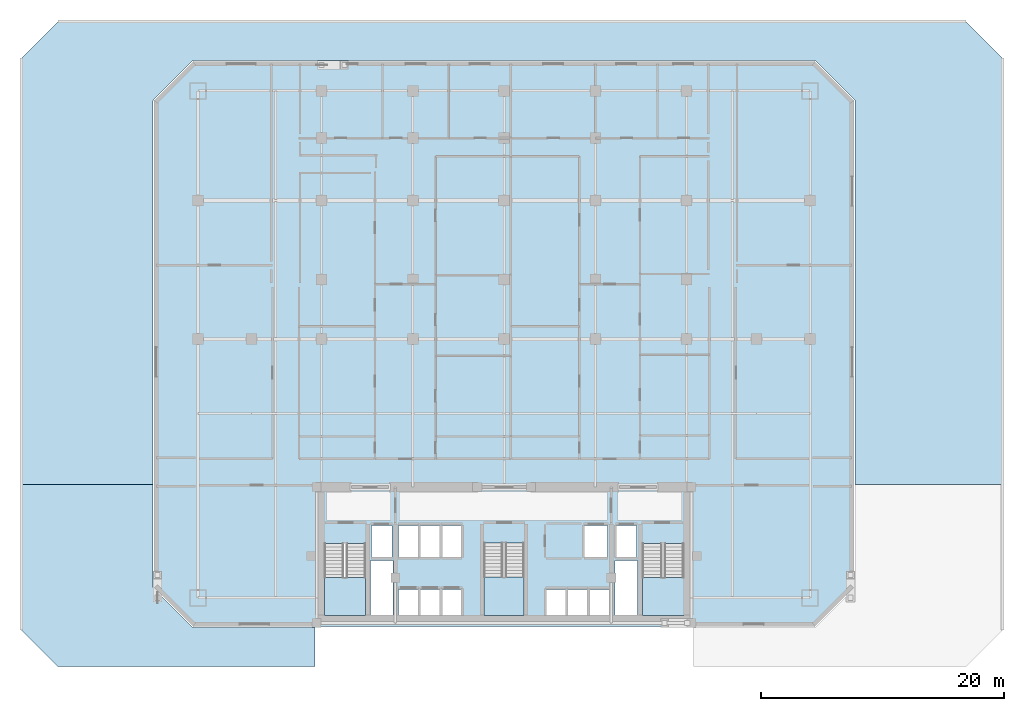
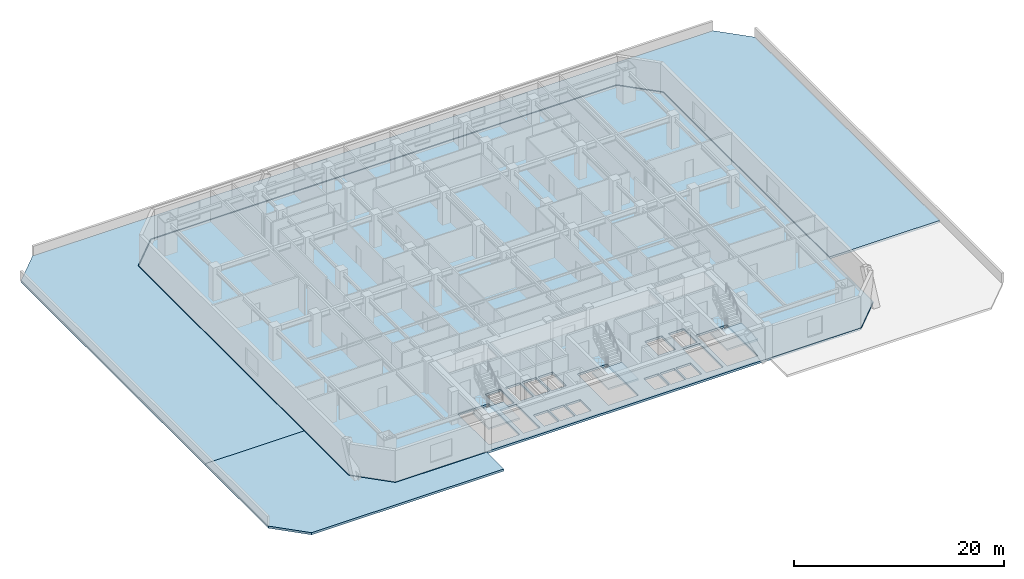
# One storey, part 3 of 11: 6 slabs, 3 elements without a shape of their own.
"""IFC4 building model written with IfcOpenShell, lengths in metres."""

import ifcopenshell
import ifcopenshell.guid

model = None  # the IFC model being written
_history = None  # IfcOwnerHistory: only IFC2X3 demands one
_inside = {}  # id of a spatial element -> (the spatial element, [elements in it])
_under = {}  # id of a project, library or spatial element -> (it, [spatial elements below it])
_declared = {}  # id of a project -> (the project, [libraries it declares])
_typed = {}  # id of a type object -> (the type object, [elements of that type])
_made_of = {}  # id of a material, layer set ... -> (it, [elements and type objects made of it])


def new_model(schema):
    """Start an empty IFC model of exactly this schema.

    Asked for "IFC4X3", IfcOpenShell would pick the latest addendum, in which some entities
    have other attributes; the version numbers below select the first issue.
    IFC2X3 requires an IfcOwnerHistory on every rooted entity: one is made here for all.
    """
    global model, _history
    if schema == "IFC4X3":
        model = ifcopenshell.file(schema_version=(4, 3, 0, 0))
    else:
        model = ifcopenshell.file(schema=schema)
    _inside.clear()
    _under.clear()
    _declared.clear()
    _typed.clear()
    _made_of.clear()
    _history = None
    if model.schema == "IFC2X3":
        org = make("IfcOrganization", Name="unknown")
        user = make(
            "IfcPersonAndOrganization",
            ThePerson=make("IfcPerson", FamilyName="unknown"),
            TheOrganization=org,
        )
        app = make(
            "IfcApplication",
            ApplicationDeveloper=org,
            Version="unknown",
            ApplicationFullName="unknown",
            ApplicationIdentifier="unknown",
        )
        _history = make(
            "IfcOwnerHistory",
            OwningUser=user,
            OwningApplication=app,
            ChangeAction="ADDED",
            CreationDate=0,
        )
    return model


def make(cls, **values):
    """One entity of the class cls with the attributes given. An attribute that is None is left unset."""
    return model.create_entity(
        cls, **{name: value for name, value in values.items() if value is not None}
    )


def rooted(cls, **values):
    """An entity with a GlobalId (a new one), such as an element, a storey or a relation."""
    return make(cls, GlobalId=ifcopenshell.guid.new(), OwnerHistory=_history, **values)


def si_unit(unit_type, name, prefix=None):
    """IfcSIUnit, for example si_unit("LENGTHUNIT", "METRE", prefix="MILLI")."""
    return make("IfcSIUnit", UnitType=unit_type, Prefix=prefix, Name=name)


def assignment(units):
    """IfcUnitAssignment: the units of a project."""
    return None if units is None else make("IfcUnitAssignment", Units=units)


def point(xyz):
    """IfcCartesianPoint."""
    return None if xyz is None else make("IfcCartesianPoint", Coordinates=xyz)


def direction(xyz):
    """IfcDirection."""
    return None if xyz is None else make("IfcDirection", DirectionRatios=xyz)


def frame(location, z_axis=None, x_axis=None):
    """IfcAxis2Placement3D, a coordinate frame: its origin and axes. An axis left out is left unset."""
    return make(
        "IfcAxis2Placement3D",
        Location=point(location),
        Axis=direction(z_axis),
        RefDirection=direction(x_axis),
    )


def origin():
    """The frame at (0, 0, 0) with its axes left unset."""
    return frame((0.0, 0.0, 0.0))


def place(relative_to, where):
    """IfcLocalPlacement: puts the frame where relative to a parent placement (None: the world)."""
    return make(
        "IfcLocalPlacement", PlacementRelTo=relative_to, RelativePlacement=where
    )


def context(
    kind, dimensions, precision=None, world=None, true_north=None, identifier=None
):
    """IfcGeometricRepresentationContext, for example the 3D "Model" context."""
    return make(
        "IfcGeometricRepresentationContext",
        ContextIdentifier=identifier,
        ContextType=kind,
        CoordinateSpaceDimension=dimensions,
        Precision=precision,
        WorldCoordinateSystem=world,
        TrueNorth=true_north,
    )


def subcontext(parent, identifier, kind, view, scale=None):
    """IfcGeometricRepresentationSubContext, for example "Body" below "Model"."""
    return make(
        "IfcGeometricRepresentationSubContext",
        ContextIdentifier=identifier,
        ContextType=kind,
        ParentContext=parent,
        TargetScale=scale,
        TargetView=view,
    )


def project(units=None, contexts=None):
    """IfcProject with its units and contexts."""
    return rooted(
        "IfcProject",
        Name="project",
        RepresentationContexts=contexts,
        UnitsInContext=assignment(units),
    )


def spatial(cls, under=None, at=None, **own):
    """A site, building, storey or space (cls), placed at a placement, below another one or the project."""
    s = rooted(cls, ObjectPlacement=at, **own)
    if under is not None:
        _under.setdefault(under.id(), (under, []))[1].append(s)
    return s


def polyline(points):
    """IfcPolyline through the points."""
    return make("IfcPolyline", Points=[point(p) for p in points])


def outline(outer, holes=None, kind="AREA"):
    """IfcArbitraryClosedProfileDef: a profile drawn as a closed curve; with holes, ...WithVoids."""
    if holes is None:
        return make("IfcArbitraryClosedProfileDef", ProfileType=kind, OuterCurve=outer)
    return make(
        "IfcArbitraryProfileDefWithVoids",
        ProfileType=kind,
        OuterCurve=outer,
        InnerCurves=holes,
    )


def extrude(swept, where, along, depth):
    """IfcExtrudedAreaSolid: the profile swept, set in the frame where, extruded along a direction by depth."""
    return make(
        "IfcExtrudedAreaSolid",
        SweptArea=swept,
        Position=where,
        ExtrudedDirection=direction(along),
        Depth=depth,
    )


def shape(context_of_items, identifier, shape_type, items):
    """IfcShapeRepresentation: the items that make up one representation, for example the "Body"."""
    return make(
        "IfcShapeRepresentation",
        ContextOfItems=context_of_items,
        RepresentationIdentifier=identifier,
        RepresentationType=shape_type,
        Items=items,
    )


def material(Name=None, Category=None):
    """IfcMaterial."""
    return make("IfcMaterial", Name=Name, Category=Category)


def layer(
    of_material, thickness, ventilated=None, Name=None, Category=None, Priority=None
):
    """IfcMaterialLayer: one layer of a wall or slab, of a material (None: an air gap)."""
    return make(
        "IfcMaterialLayer",
        Material=of_material,
        LayerThickness=thickness,
        IsVentilated=ventilated,
        Name=Name,
        Category=Category,
        Priority=Priority,
    )


def layer_set(layers, Name=None):
    """IfcMaterialLayerSet."""
    return make("IfcMaterialLayerSet", MaterialLayers=layers, LayerSetName=Name)


def made_of(thing, what):
    """Note that an element or type object is made of a material, layer set ...; save() writes the relation."""
    if what is not None:
        _made_of.setdefault(what.id(), (what, []))[1].append(thing)
    return thing


def type_object(cls, material=None, **own):
    """A type object (cls), such as IfcWallType, which elements share."""
    return made_of(rooted(cls, **own), material)


def element(
    cls,
    number,
    at=None,
    inside=None,
    cuts=None,
    type_object=None,
    material=None,
    context=None,
    identifier="Body",
    shape_type=None,
    held_by="IfcProductDefinitionShape",
    body=None,
    shapes=None,
    **own,
):
    """One element of the class cls, such as IfcWall. Its Tag is "e" and its number.

    at: its placement. inside: the storey or other place that contains it. cuts: it is an
    opening in that element (IfcRelVoidsElement). A single representation is given by context,
    identifier, shape_type and body (its items); several are given by shapes. held_by: the class
    of the entity that holds the representations. save() writes the other relations.
    """
    e = rooted(cls, Tag="e%d" % number, ObjectPlacement=at, **own)
    if body is not None:
        shapes = [shape(context, identifier, shape_type, body)]
    if shapes is not None:
        e.Representation = make(held_by, Representations=shapes)
    if inside is not None:
        _inside.setdefault(inside.id(), (inside, []))[1].append(e)
    if cuts is not None:
        rooted(
            "IfcRelVoidsElement", RelatingBuildingElement=cuts, RelatedOpeningElement=e
        )
    if type_object is not None:
        _typed.setdefault(type_object.id(), (type_object, []))[1].append(e)
    return made_of(e, material)


def aggregate(whole, parts):
    """IfcRelAggregates: a whole, such as a stair, and the parts it consists of."""
    return rooted("IfcRelAggregates", RelatingObject=whole, RelatedObjects=parts)


def save(model, path):
    """Write the relations noted so far, then the file.

    IfcRelAggregates (storeys below a building ...), IfcRelContainedInSpatialStructure (elements
    in a storey), IfcRelDefinesByType, IfcRelAssociatesMaterial and IfcRelDeclares: one each for
    every whole, place, type object, material and project.
    """
    for whole, parts in _under.values():
        aggregate(whole, parts)
    for where, things in _inside.values():
        rooted(
            "IfcRelContainedInSpatialStructure",
            RelatedElements=things,
            RelatingStructure=where,
        )
    for kind, things in _typed.values():
        rooted("IfcRelDefinesByType", RelatedObjects=things, RelatingType=kind)
    for what, things in _made_of.values():
        rooted("IfcRelAssociatesMaterial", RelatedObjects=things, RelatingMaterial=what)
    for by, libraries in _declared.values():
        rooted("IfcRelDeclares", RelatingContext=by, RelatedDefinitions=libraries)
    model.write(path)


model = new_model("IFC4")

# Units and contexts
model_context = context("Model", 3, precision=1e-05, world=origin(), true_north=direction((0.0, 1.0)))
body_context = subcontext(model_context, "Body", "Model", "MODEL_VIEW")
ifc_project = project(units=[si_unit("LENGTHUNIT", "METRE"), si_unit("AREAUNIT", "SQUARE_METRE"), si_unit("VOLUMEUNIT", "CUBIC_METRE"), si_unit("PLANEANGLEUNIT", "RADIAN"), si_unit("MASSUNIT", "GRAM", prefix="KILO")], contexts=[model_context])

# Site, building, storey
site_placement = place(None, origin())
site = spatial("IfcSite", under=ifc_project, at=site_placement, CompositionType="ELEMENT")
building_placement = place(site_placement, origin())
building = spatial("IfcBuilding", under=site, at=building_placement, Name="Ventersveld Concourse Tower", CompositionType="ELEMENT")
storey_placement = place(building_placement, frame((0.0, 0.0, 29.800048828125)))
storey = spatial("IfcBuildingStorey", under=building, at=storey_placement, Name="L06", CompositionType="ELEMENT", Elevation=29.800048828125)

# Slab
ifc_material = material(Name="Concrete C50/60", Category="concrete")
ifc_layer_1 = layer(ifc_material, 0.25)
ifc_layer_set_1 = layer_set([ifc_layer_1], Name="Concrete C50/60")
slab_type_1 = type_object("IfcSlabType", Name="SL-FLR-250", PredefinedType="FLOOR", material=ifc_layer_set_1)
slab_1_placement = place(storey_placement, frame((0.0, 0.0, -0.25)))
element("IfcSlab", 1, at=slab_1_placement, inside=storey, type_object=slab_type_1, Name="L06 Composite Floor Slab", PredefinedType="FLOOR", context=body_context, shape_type="SweptSolid", body=[
    extrude(outline(polyline([(3.199951171875, 0.0), (54.300048828125, 0.0), (57.5, 3.199951171875), (57.5, 43.199951171875), (54.300048828125, 46.39990234375), (3.199951171875, 46.39990234375), (0.0, 43.199951171875), (0.0, 3.199951171875), (3.199951171875, 0.0)]), holes=[polyline([(13.97998046875, 6.794921875), (13.97998046875, 0.89990234375), (17.3798828125, 0.89990234375), (17.3798828125, 6.794921875), (13.97998046875, 6.794921875)]), polyline([(40.1201171875, 6.794921875), (40.1201171875, 0.89990234375), (43.52001953125, 0.89990234375), (43.52001953125, 6.794921875), (40.1201171875, 6.794921875)]), polyline([(27.10009765625, 6.844970703125), (27.10009765625, 0.89990234375), (30.39990234375, 0.89990234375), (30.39990234375, 6.844970703125), (27.10009765625, 6.844970703125)]), polyline([(17.85009765625, 5.699951171875), (19.530029296875, 5.699951171875), (19.530029296875, 8.300048828125), (17.85009765625, 8.300048828125), (17.85009765625, 5.699951171875)]), polyline([(37.969970703125, 5.699951171875), (39.64990234375, 5.699951171875), (39.64990234375, 8.300048828125), (37.969970703125, 8.300048828125), (37.969970703125, 5.699951171875)]), polyline([(35.35009765625, 5.699951171875), (37.25, 5.699951171875), (37.25, 8.300048828125), (35.35009765625, 8.300048828125), (35.35009765625, 5.699951171875)]), polyline([(20.090087890625, 0.949951171875), (21.68994140625, 0.949951171875), (21.68994140625, 3.050048828125), (20.090087890625, 3.050048828125), (20.090087890625, 0.949951171875)]), polyline([(21.8701171875, 0.949951171875), (23.469970703125, 0.949951171875), (23.469970703125, 3.050048828125), (21.8701171875, 3.050048828125), (21.8701171875, 0.949951171875)]), polyline([(23.64990234375, 0.949951171875), (25.25, 0.949951171875), (25.25, 3.050048828125), (23.64990234375, 3.050048828125), (23.64990234375, 0.949951171875)]), polyline([(32.2099609375, 0.949951171875), (33.81005859375, 0.949951171875), (33.81005859375, 3.050048828125), (32.2099609375, 3.050048828125), (32.2099609375, 0.949951171875)]), polyline([(33.989990234375, 0.949951171875), (35.590087890625, 0.949951171875), (35.590087890625, 3.050048828125), (33.989990234375, 3.050048828125), (33.989990234375, 0.949951171875)]), polyline([(35.77001953125, 0.949951171875), (37.3701171875, 0.949951171875), (37.3701171875, 3.050048828125), (35.77001953125, 3.050048828125), (35.77001953125, 0.949951171875)]), polyline([(20.090087890625, 5.699951171875), (21.68994140625, 5.699951171875), (21.68994140625, 8.300048828125), (20.090087890625, 8.300048828125), (20.090087890625, 5.699951171875)]), polyline([(21.8701171875, 5.699951171875), (23.469970703125, 5.699951171875), (23.469970703125, 8.300048828125), (21.8701171875, 8.300048828125), (21.8701171875, 5.699951171875)]), polyline([(23.64990234375, 5.699951171875), (25.25, 5.699951171875), (25.25, 8.300048828125), (23.64990234375, 8.300048828125), (23.64990234375, 5.699951171875)]), polyline([(17.780029296875, 0.919921875), (19.6201171875, 0.919921875), (19.6201171875, 5.419921875), (17.780029296875, 5.419921875), (17.780029296875, 0.919921875)]), polyline([(37.8798828125, 0.919921875), (39.719970703125, 0.919921875), (39.719970703125, 5.419921875), (37.8798828125, 5.419921875), (37.8798828125, 0.919921875)])]), origin(), (0.0, 0.0, 1.0), 0.25),
])

# Stair, slab
stair_type_1 = type_object("IfcStairType", Name="ST-DOG-160", PredefinedType="HALF_TURN_STAIR", material=ifc_material)
stair_1_placement = place(storey_placement, origin())
stair_1 = element("IfcStair", 2, at=stair_1_placement, inside=storey, type_object=stair_type_1, Name="L06 Protected Tower Escape Stair ST-01", PredefinedType="HALF_TURN_STAIR")
ifc_layer_2 = layer(ifc_material, 0.199951171875)
ifc_layer_set_2 = layer_set([ifc_layer_2], Name="Concrete C50/60")
slab_type_2 = type_object("IfcSlabType", Name="SL-LND-200", PredefinedType="LANDING", material=ifc_layer_set_2)
slab_2_placement = place(storey_placement, frame((0.0, 0.0, 1.724853515625)))
slab_2 = element("IfcSlab", 3, at=slab_2_placement, type_object=slab_type_2, Name="ST-01 landing 1", PredefinedType="LANDING", context=body_context, shape_type="SweptSolid", body=[
    extrude(outline(polyline([(13.97998046875, 4.0), (13.97998046875, 0.89990234375), (17.3798828125, 0.89990234375), (17.3798828125, 4.0), (13.97998046875, 4.0)])), origin(), (0.0, 0.0, 1.0), 0.2001953125),
])
aggregate(stair_1, [slab_2])

stair_2_placement = place(storey_placement, origin())
stair_2 = element("IfcStair", 4, at=stair_2_placement, inside=storey, type_object=stair_type_1, Name="L06 Protected Tower Escape Stair ST-02", PredefinedType="HALF_TURN_STAIR")
slab_3_placement = place(storey_placement, frame((0.0, 0.0, 1.724853515625)))
slab_3 = element("IfcSlab", 5, at=slab_3_placement, type_object=slab_type_2, Name="ST-02 landing 1", PredefinedType="LANDING", context=body_context, shape_type="SweptSolid", body=[
    extrude(outline(polyline([(40.1201171875, 4.0), (40.1201171875, 0.89990234375), (43.52001953125, 0.89990234375), (43.52001953125, 4.0), (40.1201171875, 4.0)])), origin(), (0.0, 0.0, 1.0), 0.2001953125),
])
aggregate(stair_2, [slab_3])

stair_type_2 = type_object("IfcStairType", Name="ST-DOG-155", PredefinedType="HALF_TURN_STAIR", material=ifc_material)
stair_3_placement = place(storey_placement, origin())
stair_3 = element("IfcStair", 6, at=stair_3_placement, inside=storey, type_object=stair_type_2, Name="L06 Protected Central Core Escape Stair ST-03", PredefinedType="HALF_TURN_STAIR")
slab_4_placement = place(storey_placement, frame((0.0, 0.0, 1.724853515625)))
slab_4 = element("IfcSlab", 7, at=slab_4_placement, type_object=slab_type_2, Name="ST-03 landing 1", PredefinedType="LANDING", context=body_context, shape_type="SweptSolid", body=[
    extrude(outline(polyline([(27.10009765625, 4.050048828125), (27.10009765625, 0.89990234375), (30.39990234375, 0.89990234375), (30.39990234375, 4.050048828125), (27.10009765625, 4.050048828125)])), origin(), (0.0, 0.0, 1.0), 0.2001953125),
])
aggregate(stair_3, [slab_4])

# Slabs
ifc_layer_3 = layer(ifc_material, 0.25)
ifc_layer_set_3 = layer_set([ifc_layer_3], Name="Concrete C50/60")
slab_type_3 = type_object("IfcSlabType", Name="SL-ROOF-250", PredefinedType="ROOF", material=ifc_layer_set_3)
slab_5_placement = place(storey_placement, frame((0.0, 0.0, -0.25)))
element("IfcSlab", 8, at=slab_5_placement, inside=storey, type_object=slab_type_3, Name="L06 Maintenance Setback Roof Slab N1", PredefinedType="ROOF", context=body_context, shape_type="SweptSolid", body=[
    extrude(outline(polyline([(-10.89990234375, 46.699951171875), (-7.89990234375, 49.699951171875), (66.699951171875, 49.699951171875), (69.699951171875, 46.699951171875), (69.699951171875, 11.64990234375), (57.580078125, 11.64990234375), (57.580078125, 43.199951171875), (57.57958984375, 43.207763671875), (57.57861328125, 43.215576171875), (57.57666015625, 43.22314453125), (57.573974609375, 43.230712890625), (57.570556640625, 43.23779296875), (57.56640625, 43.244384765625), (57.561767578125, 43.250732421875), (57.556640625, 43.256591796875), (54.356689453125, 46.45654296875), (54.350830078125, 46.4619140625), (54.344482421875, 46.466552734375), (54.337646484375, 46.470703125), (54.33056640625, 46.473876953125), (54.3232421875, 46.4765625), (54.315673828125, 46.478515625), (54.307861328125, 46.4794921875), (54.300048828125, 46.47998046875), (3.199951171875, 46.47998046875), (3.192138671875, 46.4794921875), (3.184326171875, 46.478515625), (3.1767578125, 46.4765625), (3.16943359375, 46.473876953125), (3.162353515625, 46.470703125), (3.155517578125, 46.466552734375), (3.149169921875, 46.4619140625), (3.143310546875, 46.45654296875), (-0.056640625, 43.256591796875), (-0.061767578125, 43.250732421875), (-0.06640625, 43.244384765625), (-0.070556640625, 43.23779296875), (-0.073974609375, 43.230712890625), (-0.07666015625, 43.22314453125), (-0.07861328125, 43.215576171875), (-0.07958984375, 43.207763671875), (-0.080078125, 43.199951171875), (-0.080078125, 11.64990234375), (-10.89990234375, 11.64990234375), (-10.89990234375, 46.699951171875)])), origin(), (0.0, 0.0, 1.0), 0.25),
])
slab_6_placement = place(storey_placement, frame((0.0, 0.0, -0.25)))
element("IfcSlab", 9, at=slab_6_placement, inside=storey, type_object=slab_type_3, Name="L06 Maintenance Setback Roof Slab W2", PredefinedType="ROOF", context=body_context, shape_type="SweptSolid", body=[
    extrude(outline(polyline([(-10.89990234375, 11.64990234375), (-0.080078125, 11.64990234375), (-0.080078125, 3.199951171875), (-0.07958984375, 3.192138671875), (-0.07861328125, 3.184326171875), (-0.07666015625, 3.1767578125), (-0.073974609375, 3.16943359375), (-0.070556640625, 3.162353515625), (-0.06640625, 3.155517578125), (-0.061767578125, 3.149169921875), (-0.056640625, 3.143310546875), (3.143310546875, -0.056640625), (3.149169921875, -0.061767578125), (3.155517578125, -0.06640625), (3.162353515625, -0.070556640625), (3.16943359375, -0.073974609375), (3.1767578125, -0.07666015625), (3.184326171875, -0.07861328125), (3.192138671875, -0.07958984375), (3.199951171875, -0.080078125), (13.199951171875, -0.080078125), (13.199951171875, -3.300048828125), (-7.89990234375, -3.300048828125), (-10.89990234375, -0.300048828125), (-10.89990234375, 11.64990234375)])), origin(), (0.0, 0.0, 1.0), 0.25),
])

save(model, "model.ifc")
